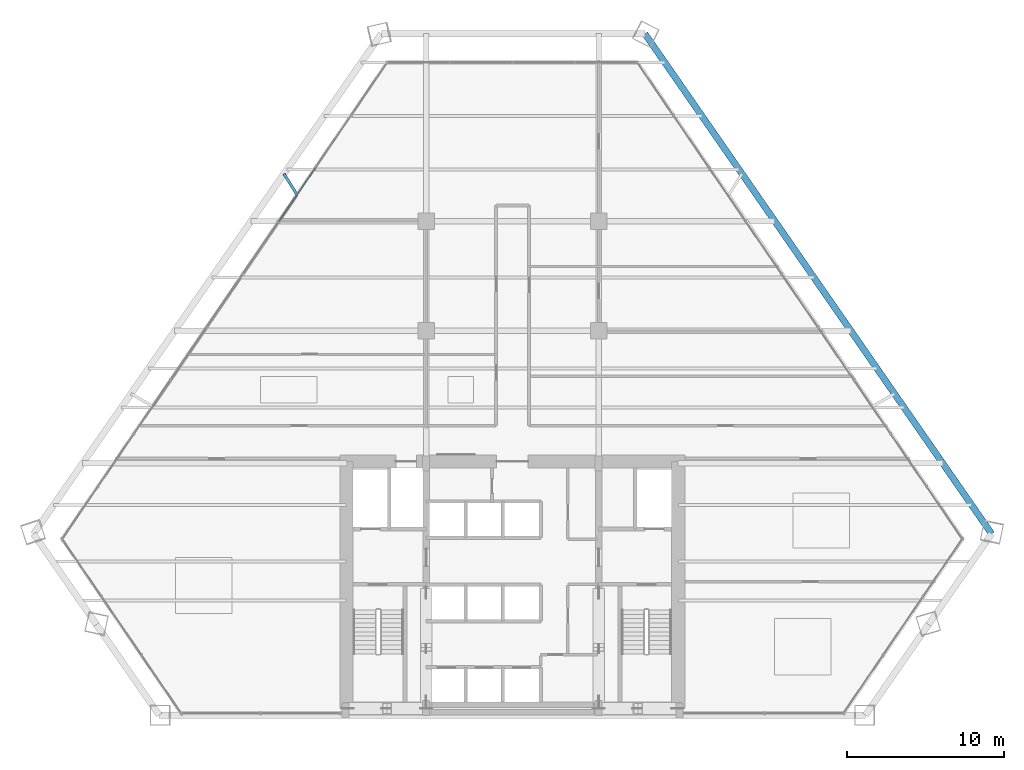
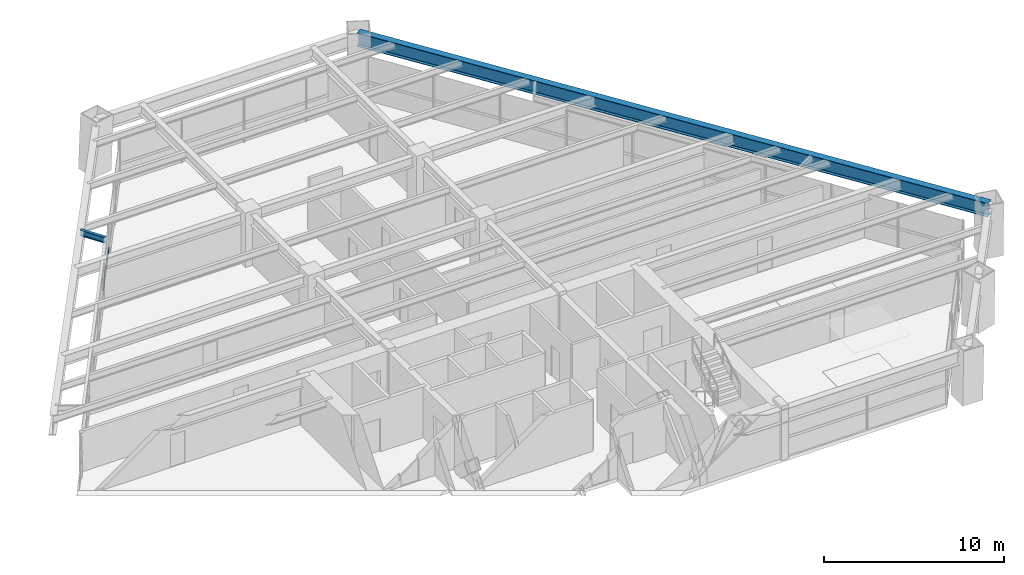
# One storey, part 7 of 13: 2 beams, 1 member, 1 element without a shape of its own.
"""IFC4 building model written with IfcOpenShell, lengths in metres."""

from ifc_helpers import new_model, si_unit, direction, frame, origin, origin_2d, place, context, subcontext, project, spatial, rectangle, i_section, extrude, source, transform, mapped, material, material_profile, profile_set, type_object, type_shapes, element, aggregate, save


model = new_model("IFC4")

# Units and contexts
model_context = context("Model", 3, precision=1e-05, world=origin(), true_north=direction((0.0, 1.0)))
body_context = subcontext(model_context, "Body", "Model", "MODEL_VIEW")
ifc_project = project(units=[si_unit("LENGTHUNIT", "METRE"), si_unit("AREAUNIT", "SQUARE_METRE"), si_unit("VOLUMEUNIT", "CUBIC_METRE"), si_unit("PLANEANGLEUNIT", "RADIAN"), si_unit("MASSUNIT", "GRAM", prefix="KILO")], contexts=[model_context])

# Site, building, storey
site_placement = place(None, origin())
site = spatial("IfcSite", under=ifc_project, at=site_placement, CompositionType="ELEMENT")
building_placement = place(site_placement, origin())
building = spatial("IfcBuilding", under=site, at=building_placement, Name="Varnakhor Terracotta Tower", CompositionType="ELEMENT")
storey_placement = place(building_placement, frame((0.0, 0.0, 27.5)))
storey = spatial("IfcBuildingStorey", under=building, at=storey_placement, Name="L05", CompositionType="ELEMENT", Elevation=27.5)

# Beam
ifc_material_1 = material(Name="Steel S355", Category="steel")
ifc_material_profile_1 = material_profile(ifc_material_1, i_section(OverallWidth=0.41796875, OverallDepth=0.927001953125, WebThickness=0.01904296875, FlangeThickness=0.031982421875, FilletRadius=0.01806640625, at=origin_2d()), Name="W36X231")
ifc_profile_set_1 = profile_set([ifc_material_profile_1], Name="Steel S355")
beam_type_1 = type_object("IfcBeamType", Name="BM-W36X231", PredefinedType="BEAM", material=ifc_profile_set_1)
shared_shape_1 = source(origin(), body_context, "Body", "SweptSolid", [
    extrude(i_section(OverallWidth=0.41796875, OverallDepth=0.927001953125, WebThickness=0.01904296875, FlangeThickness=0.031982421875, FilletRadius=0.01806640625, at=origin_2d()), origin(), (0.0, 0.0, 1.0), 38.794677734375),
])
beam_1_placement = place(storey_placement, frame((30.547607421875, 11.561279296875, 2.986572265625), z_axis=(-0.56976976152, 0.821804367753, 0.0), x_axis=(-0.821804367753, -0.56976976152, 0.0)))
element("IfcBeam", 1, at=beam_1_placement, inside=storey, type_object=beam_type_1, Name="L05 Perimeter Spandrel 4", PredefinedType="BEAM", context=body_context, shape_type="MappedRepresentation", body=[
    mapped(shared_shape_1, transform((0.0, 0.0, 0.0), scale=1.0)),
])

# Curtain wall, member
ifc_material_2 = material(Name="Anodised Aluminium Curtain Wall System", Category="aluminium")
curtain_wall_type = type_object("IfcCurtainWallType", Name="CW-SYS-LOW-OFFICE", PredefinedType="NOTDEFINED", material=ifc_material_2)
curtain_wall_placement = place(storey_placement, origin())
curtain_wall = element("IfcCurtainWall", 2, at=curtain_wall_placement, inside=storey, type_object=curtain_wall_type, Name="L05 Facet Curtain Wall 1", PredefinedType="NOTDEFINED")
ifc_material_3 = material(Name="Anodised Aluminium 6063-T6", Category="aluminium")
ifc_material_profile_2 = material_profile(ifc_material_3, rectangle(XDim=0.074951171875, YDim=0.1650390625, at=origin_2d()), Name="ALU TRANSOM 75x165")
ifc_profile_set_2 = profile_set([ifc_material_profile_2], Name="Anodised Aluminium 6063-T6")
member_type = type_object("IfcMemberType", Name="CWT-02", PredefinedType="USERDEFINED", material=ifc_profile_set_2)
shared_shape_2 = source(origin(), body_context, "Body", "SweptSolid", [
    extrude(rectangle(XDim=0.074951171875, YDim=0.1650390625, at=origin_2d()), origin(), (0.0, 0.0, 1.0), 4.094970703125),
])
type_shapes(member_type, [shared_shape_2])
member_placement = place(storey_placement, frame((-14.87158203125, 31.489013671875, 1.272705078125), z_axis=(0.563569893016, 0.826068384389, 0.0), x_axis=(-0.826068384389, 0.563569893016, 0.0)))
member = element("IfcMember", 3, at=member_placement, type_object=member_type, Name="L05 Facet Curtain Wall 1 Transom 7", ObjectType="TRANSOM", PredefinedType="USERDEFINED", context=body_context, shape_type="MappedRepresentation", body=[
    mapped(shared_shape_2, transform((0.0, 0.0, 0.0), scale=1.0)),
])
aggregate(curtain_wall, [member])

# Beam
ifc_material_profile_3 = material_profile(ifc_material_1, i_section(OverallWidth=0.179931640625, OverallDepth=0.39990234375, WebThickness=0.008544921875, FlangeThickness=0.013427734375, FilletRadius=0.01806640625, at=origin_2d()), Name="IPE400")
ifc_profile_set_3 = profile_set([ifc_material_profile_3], Name="Steel S355")
beam_type_2 = type_object("IfcBeamType", Name="JST-IPE400", PredefinedType="JOIST", material=ifc_profile_set_3)
shared_shape_3 = source(origin(), body_context, "Body", "SweptSolid", [
    extrude(i_section(OverallWidth=0.179931640625, OverallDepth=0.39990234375, WebThickness=0.008544921875, FlangeThickness=0.013427734375, FilletRadius=0.01806640625, at=origin_2d()), origin(), (0.0, 0.0, 1.0), 1.57421875),
])
beam_2_placement = place(storey_placement, frame((-13.732666015625, 33.177978515625, 3.25), z_axis=(-0.528994872697, 0.848625020053, 0.0), x_axis=(-0.848625020053, -0.528994872697, 0.0)))
element("IfcBeam", 4, at=beam_2_placement, inside=storey, type_object=beam_type_2, Name="L06 W Loggia Tie Beam 2", PredefinedType="JOIST", context=body_context, shape_type="MappedRepresentation", body=[
    mapped(shared_shape_3, transform((0.0, 0.0, 0.0), scale=1.0)),
])

save(model, "model.ifc")
